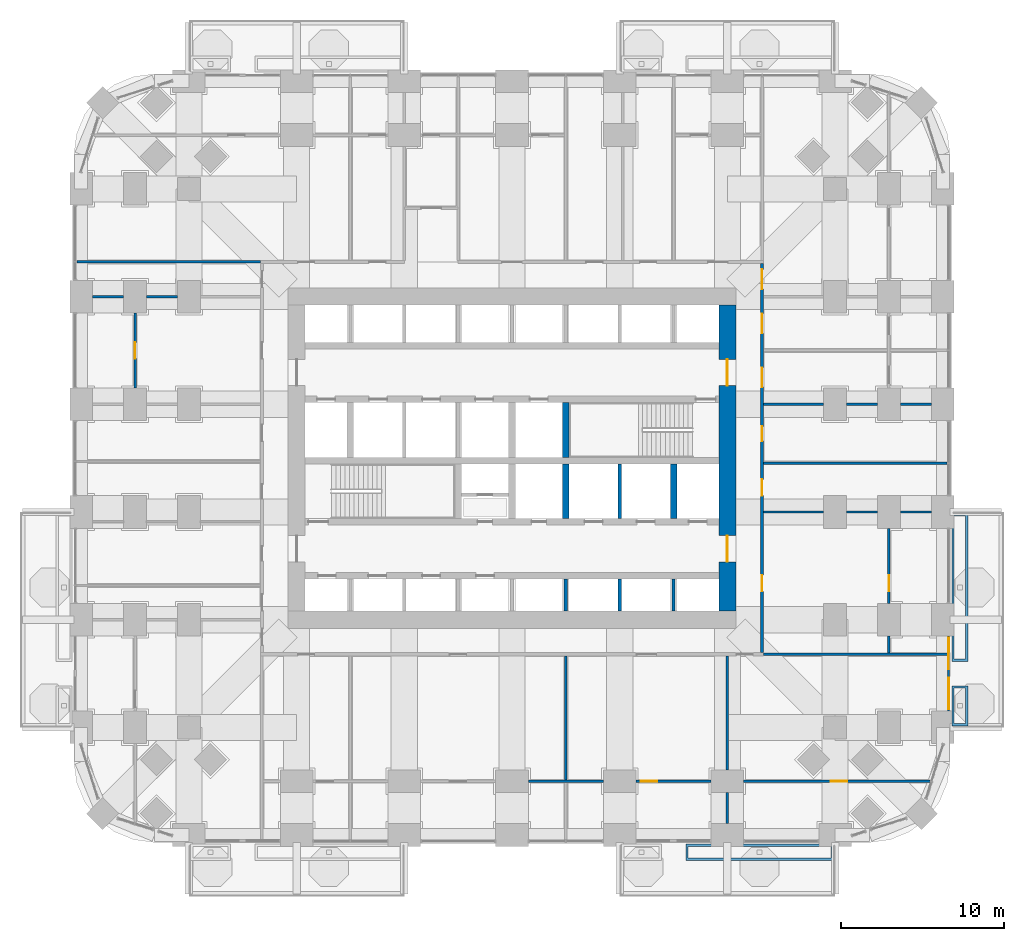
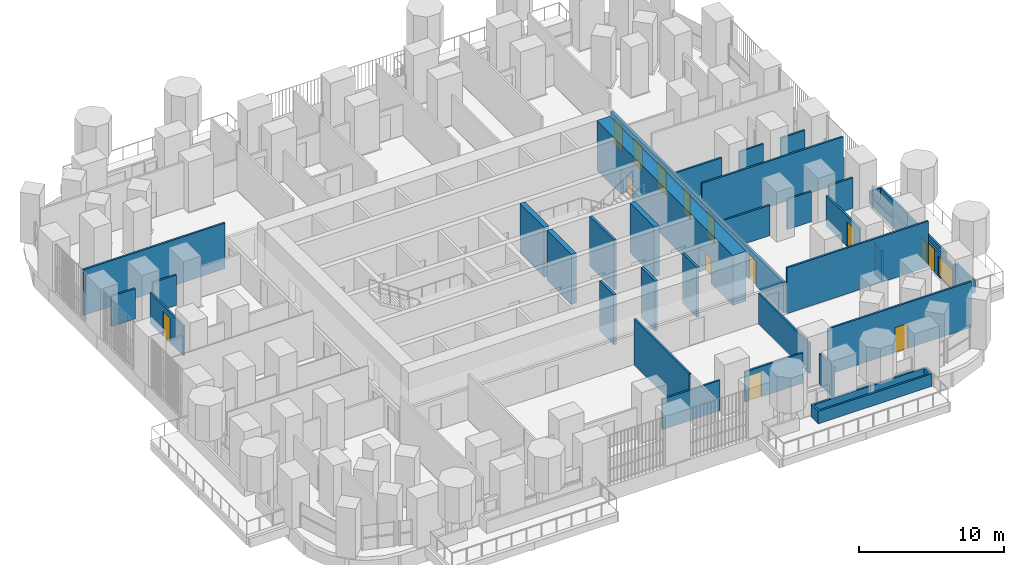
# One storey, part 19 of 27: 33 walls, 13 doors, 2 windows, 15 openings.
"""IFC4 building model written with IfcOpenShell, lengths in metres."""

from ifc_helpers import new_model, si_unit, direction, frame, frame_2d, origin, place, context, subcontext, project, spatial, polyline, rectangle, outline, extrude, material, layer, layer_set, type_object, element, fill, save


model = new_model("IFC4")

# Units and contexts
model_context = context("Model", 3, precision=1e-05, world=origin(), true_north=direction((0.0, 1.0)))
body_context = subcontext(model_context, "Body", "Model", "MODEL_VIEW")
ifc_project = project(units=[si_unit("LENGTHUNIT", "METRE"), si_unit("AREAUNIT", "SQUARE_METRE"), si_unit("VOLUMEUNIT", "CUBIC_METRE"), si_unit("PLANEANGLEUNIT", "RADIAN"), si_unit("MASSUNIT", "GRAM", prefix="KILO")], contexts=[model_context])

# Site, building, storey
site_placement = place(None, origin())
site = spatial("IfcSite", under=ifc_project, at=site_placement, CompositionType="ELEMENT")
building_placement = place(site_placement, origin())
building = spatial("IfcBuilding", under=site, at=building_placement, Name="Cobogo Forest Laboratory Tower", CompositionType="ELEMENT")
storey_placement = place(building_placement, frame((0.0, 0.0, 71.699951171875)))
storey = spatial("IfcBuildingStorey", under=building, at=storey_placement, Name="L16", CompositionType="ELEMENT", Elevation=71.699951171875)

# Walls
ifc_material_1 = material(Name="Concrete HA-50 (C50/60)", Category="concrete")
ifc_layer_1 = layer(ifc_material_1, 0.39990234375)
ifc_layer_set_1 = layer_set([ifc_layer_1], Name="CI400 core inner wall 400")
wall_type_1 = type_object("IfcWallType", Name="CI400 core inner wall 400", PredefinedType="SHEAR", material=ifc_layer_set_1)
for number, where, z_axis, x_axis, name in (
    (1, (29.699951171875, 19.39990234375, 0.0), (0.0, 0.0, 1.0), (0.0, 1.0, 0.0), "Core wall CX-29.7S L16"),
    (2, (36.300048828125, 19.39990234375, 0.0), (0.0, 0.0, 1.0), (0.0, 1.0, 0.0), "Core wall CX-36.3 L16"),
    (3, (29.699951171875, 23.14990234375, 0.0), (0.0, 0.0, 1.0), (0.0, 1.0, 0.0), "Core wall CX-29.7N L16"),
):
    element("IfcWall", number, at=place(storey_placement, frame(where, z_axis=z_axis, x_axis=x_axis)), inside=storey, type_object=wall_type_1, Name=name, PredefinedType="SHEAR", context=body_context, shape_type="SweptSolid", body=[
        extrude(rectangle(XDim=3.35009765625, YDim=0.39990234375, at=frame_2d((1.675048828125, 0.0))), origin(), (0.0, 0.0, 1.0), 4.199951171875),
    ])

# Wall, openings, doors
ifc_layer_2 = layer(ifc_material_1, 1.050048828125)
ifc_layer_set_2 = layer_set([ifc_layer_2], Name="CW1050 core outer wall 1050")
wall_type_2 = type_object("IfcWallType", Name="CW1050 core outer wall 1050", PredefinedType="SHEAR", material=ifc_layer_set_2)
wall_1_placement = place(storey_placement, frame((39.60009765625, 13.72509765625, 0.0), z_axis=(0.0, 0.0, 1.0), x_axis=(0.0, 1.0, 0.0)))
wall_1 = element("IfcWall", 4, at=wall_1_placement, inside=storey, type_object=wall_type_2, Name="Core wall CO-E L16", PredefinedType="SHEAR", context=body_context, shape_type="SweptSolid", body=[
    extrude(rectangle(XDim=18.75, YDim=1.050048828125, at=frame_2d((9.375, 0.0))), origin(), (0.0, 0.0, 1.0), 4.199951171875),
])
opening_1_placement = place(wall_1_placement, frame((3.02490234375, 0.0, 0.0)))
opening_1 = element("IfcOpeningElement", 5, at=opening_1_placement, cuts=wall_1, Name="Opening L16-D20", PredefinedType="OPENING", context=body_context, shape_type="SweptSolid", body=[
    extrude(rectangle(XDim=1.60009765625, YDim=2.10009765625, at=frame_2d((0.800048828125, 1.050048828125))), frame((0.0, 0.534912109375, 0.0), z_axis=(0.0, -1.0, 0.0), x_axis=(1.0, 0.0, 0.0)), (0.0, 0.0, 1.0), 1.070068359375),
])
opening_2_placement = place(wall_1_placement, frame((13.824951171875, 0.0, 0.0)))
opening_2 = element("IfcOpeningElement", 6, at=opening_2_placement, cuts=wall_1, Name="Opening L16-D33", PredefinedType="OPENING", context=body_context, shape_type="SweptSolid", body=[
    extrude(rectangle(XDim=1.60009765625, YDim=2.10009765625, at=frame_2d((0.800048828125, 1.050048828125))), frame((0.0, 0.534912109375, 0.0), z_axis=(0.0, -1.0, 0.0), x_axis=(1.0, 0.0, 0.0)), (0.0, 0.0, 1.0), 1.070068359375),
])
ifc_material_2 = material(Name="Steel fire door", Category="steel")
door_type_1 = type_object("IfcDoorType", Name="DS2 protected lobby door pair 1600 EI2 60", OperationType="DOUBLE_DOOR_DOUBLE_SWING", PredefinedType="DOOR", material=ifc_material_2)
door_1_placement = place(opening_1_placement, origin())
door_1 = element("IfcDoor", 7, at=door_1_placement, inside=storey, type_object=door_type_1, Name="Door L16-CO-E-S", OperationType="DOUBLE_DOOR_DOUBLE_SWING", OverallHeight=2.10009765625, OverallWidth=1.60009765625, PredefinedType="DOOR", context=body_context, shape_type="SweptSolid", body=[
    extrude(rectangle(XDim=1.60009765625, YDim=2.10009765625, at=frame_2d((0.800048828125, 1.050048828125))), frame((0.0, 0.02490234375, 0.0), z_axis=(0.0, -1.0, 0.0), x_axis=(1.0, 0.0, 0.0)), (0.0, 0.0, 1.0), 0.050048828125),
])
fill(opening_1, door_1)
door_2_placement = place(opening_2_placement, origin())
door_2 = element("IfcDoor", 8, at=door_2_placement, inside=storey, type_object=door_type_1, Name="Door L16-CO-E-N", OperationType="DOUBLE_DOOR_DOUBLE_SWING", OverallHeight=2.10009765625, OverallWidth=1.60009765625, PredefinedType="DOOR", context=body_context, shape_type="SweptSolid", body=[
    extrude(rectangle(XDim=1.60009765625, YDim=2.10009765625, at=frame_2d((0.800048828125, 1.050048828125))), frame((0.0, 0.02490234375, 0.0), z_axis=(0.0, -1.0, 0.0), x_axis=(1.0, 0.0, 0.0)), (0.0, 0.0, 1.0), 0.050048828125),
])
fill(opening_2, door_2)

# Wall, openings, door, windows
ifc_material_3 = material(Name="Aluminium framed glazed screen", Category="aluminium")
ifc_layer_3 = layer(ifc_material_3, 0.14990234375)
ifc_layer_set_3 = layer_set([ifc_layer_3], Name="GS1 glazed door screen 150")
wall_type_3 = type_object("IfcWallType", Name="GS1 glazed door screen 150", PredefinedType="SOLIDWALL", material=ifc_layer_set_3)
wall_2_placement = place(storey_placement, frame((53.14990234375, 7.60009765625, 0.0), z_axis=(0.0, 0.0, 1.0), x_axis=(0.0, 1.0, 0.0)))
wall_2 = element("IfcWall", 9, at=wall_2_placement, inside=storey, type_object=wall_type_3, Name="Door screen BAL-E1 L16", PredefinedType="SOLIDWALL", context=body_context, shape_type="SweptSolid", body=[
    extrude(rectangle(XDim=4.599853515625, YDim=0.14990234375, at=frame_2d((2.2998046875, 0.0))), origin(), (0.0, 0.0, 1.0), 2.050048828125),
])
opening_3_placement = place(wall_2_placement, frame((2.550048828125, 0.0, 0.0)))
opening_3 = element("IfcOpeningElement", 10, at=opening_3_placement, cuts=wall_2, Name="Opening L16-D09", PredefinedType="OPENING", context=body_context, shape_type="SweptSolid", body=[
    extrude(rectangle(XDim=1.0, YDim=2.0, at=frame_2d((0.5, 1.0))), frame((0.0, 0.0849609375, 0.0), z_axis=(0.0, -1.0, 0.0), x_axis=(1.0, 0.0, 0.0)), (0.0, 0.0, 1.0), 0.169921875),
])
opening_4_placement = place(wall_2_placement, frame((0.10009765625, 0.0, 0.10009765625)))
opening_4 = element("IfcOpeningElement", 11, at=opening_4_placement, cuts=wall_2, Name="Opening L16-W06", PredefinedType="OPENING", context=body_context, shape_type="SweptSolid", body=[
    extrude(rectangle(XDim=1.949951171875, YDim=1.64990234375, at=frame_2d((0.97509765625, 0.824951171875))), frame((0.0, 0.0849609375, 0.0), z_axis=(0.0, -1.0, 0.0), x_axis=(1.0, 0.0, 0.0)), (0.0, 0.0, 1.0), 0.169921875),
])
opening_5_placement = place(wall_2_placement, frame((3.64990234375, 0.0, 0.10009765625)))
opening_5 = element("IfcOpeningElement", 12, at=opening_5_placement, cuts=wall_2, Name="Opening L16-W08", PredefinedType="OPENING", context=body_context, shape_type="SweptSolid", body=[
    extrude(rectangle(XDim=0.85009765625, YDim=1.64990234375, at=frame_2d((0.425048828125, 0.824951171875))), frame((0.0, 0.0849609375, 0.0), z_axis=(0.0, -1.0, 0.0), x_axis=(1.0, 0.0, 0.0)), (0.0, 0.0, 1.0), 0.169921875),
])
ifc_material_4 = material(Name="Aluminium glazed door", Category="aluminium")
door_type_2 = type_object("IfcDoorType", Name="DB2 balcony door 1000 glazed 2000 high", OperationType="SINGLE_SWING_LEFT", PredefinedType="DOOR", material=ifc_material_4)
door_3_placement = place(opening_3_placement, origin())
door_3 = element("IfcDoor", 13, at=door_3_placement, inside=storey, type_object=door_type_2, Name="Door L16-BAL-E1", OperationType="SINGLE_SWING_RIGHT", OverallHeight=2.0, OverallWidth=1.0, PredefinedType="DOOR", context=body_context, shape_type="SweptSolid", body=[
    extrude(rectangle(XDim=1.0, YDim=2.0, at=frame_2d((0.5, 1.0))), frame((0.0, 0.02490234375, 0.0), z_axis=(0.0, -1.0, 0.0), x_axis=(1.0, 0.0, 0.0)), (0.0, 0.0, 1.0), 0.050048828125),
])
fill(opening_3, door_3)
ifc_material_5 = material(Name="Aluminium framed glazing", Category="aluminium")
window_type_1 = type_object("IfcWindowType", Name="WG10 fixed glazed light 850x1650", PartitioningType="SINGLE_PANEL", PredefinedType="WINDOW", material=ifc_material_5)
window_1_placement = place(opening_5_placement, origin())
window_1 = element("IfcWindow", 14, at=window_1_placement, inside=storey, type_object=window_type_1, Name="Window L16-BAL-E1-2", OverallHeight=1.64990234375, OverallWidth=0.85009765625, PartitioningType="SINGLE_PANEL", PredefinedType="WINDOW", context=body_context, shape_type="SweptSolid", body=[
    extrude(rectangle(XDim=0.85009765625, YDim=1.64990234375, at=frame_2d((0.425048828125, 0.824951171875))), frame((0.0, 0.030029296875, 0.0), z_axis=(0.0, -1.0, 0.0), x_axis=(1.0, 0.0, 0.0)), (0.0, 0.0, 1.0), 0.06005859375),
])
fill(opening_5, window_1)
window_type_2 = type_object("IfcWindowType", Name="WG9 fixed glazed light 1950x1650", PartitioningType="SINGLE_PANEL", PredefinedType="WINDOW", material=ifc_material_5)
window_2_placement = place(opening_4_placement, origin())
window_2 = element("IfcWindow", 15, at=window_2_placement, inside=storey, type_object=window_type_2, Name="Window L16-BAL-E1-1", OverallHeight=1.64990234375, OverallWidth=1.949951171875, PartitioningType="SINGLE_PANEL", PredefinedType="WINDOW", context=body_context, shape_type="SweptSolid", body=[
    extrude(rectangle(XDim=1.949951171875, YDim=1.64990234375, at=frame_2d((0.97509765625, 0.824951171875))), frame((0.0, 0.030029296875, 0.0), z_axis=(0.0, -1.0, 0.0), x_axis=(1.0, 0.0, 0.0)), (0.0, 0.0, 1.0), 0.06005859375),
])
fill(opening_4, window_2)

# Walls
ifc_material_6 = material(Name="Gypsum board on steel studs", Category="steel")
ifc_layer_4 = layer(ifc_material_6, 0.14990234375)
ifc_layer_set_4 = layer_set([ifc_layer_4], Name="PT1 laboratory partition 150")
wall_type_4 = type_object("IfcWallType", Name="PT1 laboratory partition 150", PredefinedType="PARTITIONING", material=ifc_layer_set_4)
for number, where, z_axis, x_axis, name in (
    (16, (53.070068359375, 11.074951171875, 0.0), (0.0, 0.0, 1.0), (-1.0, 0.0, 0.0), "Partition PW-SE L16"),
    (17, (-0.27001953125, 35.125, 0.0), (0.0, 0.0, 1.0), (1.0, 0.0, 0.0), "Partition PW-NW L16"),
):
    element("IfcWall", number, at=place(storey_placement, frame(where, z_axis=z_axis, x_axis=x_axis)), inside=storey, type_object=wall_type_4, Name=name, PredefinedType="PARTITIONING", context=body_context, shape_type="SweptSolid", body=[
        extrude(rectangle(XDim=11.2451171875, YDim=0.14990234375, at=frame_2d((5.62255859375, 0.0))), origin(), (0.0, 0.0, 1.0), 3.85009765625),
    ])
wall_3_placement = place(storey_placement, frame((27.39990234375, 3.300048828125, 0.0), z_axis=(0.0, 0.0, 1.0), x_axis=(1.0, 0.0, 0.0)))
element("IfcWall", 18, at=wall_3_placement, inside=storey, type_object=wall_type_4, Name="Partition STRIP-S-4 L16", PredefinedType="PARTITIONING", context=body_context, shape_type="SweptSolid", body=[
    extrude(rectangle(XDim=4.60009765625, YDim=0.14990234375, at=frame_2d((2.300048828125, 0.0))), origin(), (0.0, 0.0, 1.0), 2.550048828125),
])

# Wall, opening, door
wall_4_placement = place(storey_placement, frame((34.0, 3.300048828125, 0.0), z_axis=(0.0, 0.0, 1.0), x_axis=(1.0, 0.0, 0.0)))
wall_4 = element("IfcWall", 19, at=wall_4_placement, inside=storey, type_object=wall_type_4, Name="Partition STRIP-S-5 L16", PredefinedType="PARTITIONING", context=body_context, shape_type="SweptSolid", body=[
    extrude(rectangle(XDim=4.60009765625, YDim=0.14990234375, at=frame_2d((2.300048828125, 0.0))), origin(), (0.0, 0.0, 1.0), 2.550048828125),
])
opening_6_placement = place(wall_4_placement, frame((0.300048828125, 0.0, 0.0)))
opening_6 = element("IfcOpeningElement", 20, at=opening_6_placement, cuts=wall_4, Name="Opening L16-D05", PredefinedType="OPENING", context=body_context, shape_type="SweptSolid", body=[
    extrude(rectangle(XDim=1.0, YDim=2.10009765625, at=frame_2d((0.5, 1.050048828125))), frame((0.0, 0.0849609375, 0.0), z_axis=(0.0, -1.0, 0.0), x_axis=(1.0, 0.0, 0.0)), (0.0, 0.0, 1.0), 0.169921875),
])
ifc_material_7 = material(Name="Timber fire door", Category="wood")
door_type_3 = type_object("IfcDoorType", Name="FD2 fire door 1000 EI2 30", OperationType="SINGLE_SWING_LEFT", PredefinedType="DOOR", material=ifc_material_7)
door_4_placement = place(opening_6_placement, origin())
door_4 = element("IfcDoor", 21, at=door_4_placement, inside=storey, type_object=door_type_3, Name="Door L16-S3W", OperationType="SINGLE_SWING_LEFT", OverallHeight=2.10009765625, OverallWidth=1.0, PredefinedType="DOOR", context=body_context, shape_type="SweptSolid", body=[
    extrude(rectangle(XDim=1.0, YDim=2.10009765625, at=frame_2d((0.5, 1.050048828125))), frame((0.0, 0.02490234375, 0.0), z_axis=(0.0, -1.0, 0.0), x_axis=(1.0, 0.0, 0.0)), (0.0, 0.0, 1.0), 0.050048828125),
])
fill(opening_6, door_4)

wall_5_placement = place(storey_placement, frame((40.60009765625, 3.300048828125, 0.0), z_axis=(0.0, 0.0, 1.0), x_axis=(1.0, 0.0, 0.0)))
wall_5 = element("IfcWall", 22, at=wall_5_placement, inside=storey, type_object=wall_type_4, Name="Partition STRIP-S-6 L16", PredefinedType="PARTITIONING", context=body_context, shape_type="SweptSolid", body=[
    extrude(rectangle(XDim=11.423828125, YDim=0.14990234375, at=frame_2d((5.7119140625, 0.0))), origin(), (0.0, 0.0, 1.0), 3.85009765625),
])
opening_7_placement = place(wall_5_placement, frame((5.342041015625, 0.0, 0.0)))
opening_7 = element("IfcOpeningElement", 23, at=opening_7_placement, cuts=wall_5, Name="Opening L16-D06", PredefinedType="OPENING", context=body_context, shape_type="SweptSolid", body=[
    extrude(rectangle(XDim=1.0, YDim=2.10009765625, at=frame_2d((0.5, 1.050048828125))), frame((0.0, 0.0849609375, 0.0), z_axis=(0.0, -1.0, 0.0), x_axis=(1.0, 0.0, 0.0)), (0.0, 0.0, 1.0), 0.169921875),
])
door_5_placement = place(opening_7_placement, origin())
door_5 = element("IfcDoor", 24, at=door_5_placement, inside=storey, type_object=door_type_3, Name="Door L16-S4W", OperationType="SINGLE_SWING_RIGHT", OverallHeight=2.10009765625, OverallWidth=1.0, PredefinedType="DOOR", context=body_context, shape_type="SweptSolid", body=[
    extrude(rectangle(XDim=1.0, YDim=2.10009765625, at=frame_2d((0.5, 1.050048828125))), frame((0.0, 0.02490234375, 0.0), z_axis=(0.0, -1.0, 0.0), x_axis=(1.0, 0.0, 0.0)), (0.0, 0.0, 1.0), 0.050048828125),
])
fill(opening_7, door_5)

# Walls
wall_6_placement = place(storey_placement, frame((29.699951171875, 3.375, 0.0), z_axis=(0.0, 0.0, 1.0), x_axis=(0.0, 1.0, 0.0)))
element("IfcWall", 25, at=wall_6_placement, inside=storey, type_object=wall_type_4, Name="Partition CUT-S29.7b-1 L16", PredefinedType="PARTITIONING", context=body_context, shape_type="SweptSolid", body=[
    extrude(rectangle(XDim=7.60009765625, YDim=0.14990234375, at=frame_2d((3.800048828125, 0.0))), origin(), (0.0, 0.0, 1.0), 3.85009765625),
])
wall_7_placement = place(storey_placement, frame((39.60009765625, 0.699951171875, 0.0), z_axis=(0.0, 0.0, 1.0), x_axis=(0.0, 1.0, 0.0)))
element("IfcWall", 26, at=wall_7_placement, inside=storey, type_object=wall_type_4, Name="Partition CUT-S39.6a-1 L16", PredefinedType="PARTITIONING", context=body_context, shape_type="SweptSolid", body=[
    extrude(rectangle(XDim=1.900146484375, YDim=0.14990234375, at=frame_2d((0.9501953125, 0.0))), origin(), (0.0, 0.0, 1.0), 2.550048828125),
])
wall_8_placement = place(storey_placement, frame((39.60009765625, 4.0, 0.0), z_axis=(0.0, 0.0, 1.0), x_axis=(0.0, 1.0, 0.0)))
element("IfcWall", 27, at=wall_8_placement, inside=storey, type_object=wall_type_4, Name="Partition CUT-S39.6b-1 L16", PredefinedType="PARTITIONING", context=body_context, shape_type="SweptSolid", body=[
    extrude(rectangle(XDim=6.97509765625, YDim=0.14990234375, at=frame_2d((3.487548828125, 0.0))), origin(), (0.0, 0.0, 1.0), 2.550048828125),
])
wall_9_placement = place(storey_placement, frame((49.5, 11.14990234375, 0.0), z_axis=(0.0, 0.0, 1.0), x_axis=(0.0, 1.0, 0.0)))
element("IfcWall", 28, at=wall_9_placement, inside=storey, type_object=wall_type_4, Name="Partition STRIP-E-1 L16", PredefinedType="PARTITIONING", context=body_context, shape_type="SweptSolid", body=[
    extrude(rectangle(XDim=1.050048828125, YDim=0.14990234375, at=frame_2d((0.52490234375, 0.0))), origin(), (0.0, 0.0, 1.0), 2.550048828125),
])

# Wall, opening, door
wall_10_placement = place(storey_placement, frame((49.5, 14.199951171875, 0.0), z_axis=(0.0, 0.0, 1.0), x_axis=(0.0, 1.0, 0.0)))
wall_10 = element("IfcWall", 29, at=wall_10_placement, inside=storey, type_object=wall_type_4, Name="Partition STRIP-E-2 L16", PredefinedType="PARTITIONING", context=body_context, shape_type="SweptSolid", body=[
    extrude(rectangle(XDim=4.60009765625, YDim=0.14990234375, at=frame_2d((2.300048828125, 0.0))), origin(), (0.0, 0.0, 1.0), 2.550048828125),
])
opening_8_placement = place(wall_10_placement, frame((0.737548828125, 0.0, 0.0)))
opening_8 = element("IfcOpeningElement", 30, at=opening_8_placement, cuts=wall_10, Name="Opening L16-D17", PredefinedType="OPENING", context=body_context, shape_type="SweptSolid", body=[
    extrude(rectangle(XDim=1.0, YDim=2.10009765625, at=frame_2d((0.5, 1.050048828125))), frame((0.0, 0.0849609375, 0.0), z_axis=(0.0, -1.0, 0.0), x_axis=(1.0, 0.0, 0.0)), (0.0, 0.0, 1.0), 0.169921875),
])
door_6_placement = place(opening_8_placement, origin())
door_6 = element("IfcDoor", 31, at=door_6_placement, inside=storey, type_object=door_type_3, Name="Door L16-E1W", OperationType="SINGLE_SWING_LEFT", OverallHeight=2.10009765625, OverallWidth=1.0, PredefinedType="DOOR", context=body_context, shape_type="SweptSolid", body=[
    extrude(rectangle(XDim=1.0, YDim=2.10009765625, at=frame_2d((0.5, 1.050048828125))), frame((0.0, 0.02490234375, 0.0), z_axis=(0.0, -1.0, 0.0), x_axis=(1.0, 0.0, 0.0)), (0.0, 0.0, 1.0), 0.050048828125),
])
fill(opening_8, door_6)

# Walls
wall_11_placement = place(storey_placement, frame((53.070068359375, 22.800048828125, 0.0), z_axis=(0.0, 0.0, 1.0), x_axis=(-1.0, 0.0, 0.0)))
element("IfcWall", 32, at=wall_11_placement, inside=storey, type_object=wall_type_4, Name="Partition SVC-E1-1 L16", PredefinedType="PARTITIONING", context=body_context, shape_type="SweptSolid", body=[
    extrude(rectangle(XDim=11.2451171875, YDim=0.14990234375, at=frame_2d((5.62255859375, 0.0))), origin(), (0.0, 0.0, 1.0), 3.85009765625),
])
for number, where, z_axis, x_axis, name in (
    (33, (52.10009765625, 26.39990234375, 0.0), (0.0, 0.0, 1.0), (-1.0, 0.0, 0.0), "Partition SVC-E2-1 L16"),
    (34, (48.800048828125, 26.39990234375, 0.0), (0.0, 0.0, 1.0), (-1.0, 0.0, 0.0), "Partition SVC-E2-2 L16"),
):
    element("IfcWall", number, at=place(storey_placement, frame(where, z_axis=z_axis, x_axis=x_axis)), inside=storey, type_object=wall_type_4, Name=name, PredefinedType="PARTITIONING", context=body_context, shape_type="SweptSolid", body=[
        extrude(rectangle(XDim=1.900146484375, YDim=0.14990234375, at=frame_2d((0.9501953125, 0.0))), origin(), (0.0, 0.0, 1.0), 2.550048828125),
    ])
wall_12_placement = place(storey_placement, frame((45.5, 26.39990234375, 0.0), z_axis=(0.0, 0.0, 1.0), x_axis=(-1.0, 0.0, 0.0)))
element("IfcWall", 35, at=wall_12_placement, inside=storey, type_object=wall_type_4, Name="Partition SVC-E2-3 L16", PredefinedType="PARTITIONING", context=body_context, shape_type="SweptSolid", body=[
    extrude(rectangle(XDim=3.675048828125, YDim=0.14990234375, at=frame_2d((1.83740234375, 0.0))), origin(), (0.0, 0.0, 1.0), 2.550048828125),
])
for number, where, z_axis, x_axis, name in (
    (36, (52.10009765625, 19.800048828125, 0.0), (0.0, 0.0, 1.0), (-1.0, 0.0, 0.0), "Partition CUT-E19.8-1 L16"),
    (37, (48.800048828125, 19.800048828125, 0.0), (0.0, 0.0, 1.0), (-1.0, 0.0, 0.0), "Partition CUT-E19.8-2 L16"),
):
    element("IfcWall", number, at=place(storey_placement, frame(where, z_axis=z_axis, x_axis=x_axis)), inside=storey, type_object=wall_type_4, Name=name, PredefinedType="PARTITIONING", context=body_context, shape_type="SweptSolid", body=[
        extrude(rectangle(XDim=1.900146484375, YDim=0.14990234375, at=frame_2d((0.9501953125, 0.0))), origin(), (0.0, 0.0, 1.0), 2.550048828125),
    ])
wall_13_placement = place(storey_placement, frame((45.5, 19.800048828125, 0.0), z_axis=(0.0, 0.0, 1.0), x_axis=(-1.0, 0.0, 0.0)))
element("IfcWall", 38, at=wall_13_placement, inside=storey, type_object=wall_type_4, Name="Partition CUT-E19.8-3 L16", PredefinedType="PARTITIONING", context=body_context, shape_type="SweptSolid", body=[
    extrude(rectangle(XDim=3.675048828125, YDim=0.14990234375, at=frame_2d((1.83740234375, 0.0))), origin(), (0.0, 0.0, 1.0), 2.550048828125),
])

# Wall, opening, door
wall_14_placement = place(storey_placement, frame((3.300048828125, 32.0, 0.0), z_axis=(0.0, 0.0, 1.0), x_axis=(0.0, -1.0, 0.0)))
wall_14 = element("IfcWall", 39, at=wall_14_placement, inside=storey, type_object=wall_type_4, Name="Partition STRIP-W-1 L16", PredefinedType="PARTITIONING", context=body_context, shape_type="SweptSolid", body=[
    extrude(rectangle(XDim=4.60009765625, YDim=0.14990234375, at=frame_2d((2.300048828125, 0.0))), origin(), (0.0, 0.0, 1.0), 2.550048828125),
])
opening_9_placement = place(wall_14_placement, frame((1.800048828125, 0.0, 0.0)))
opening_9 = element("IfcOpeningElement", 40, at=opening_9_placement, cuts=wall_14, Name="Opening L16-D34", PredefinedType="OPENING", context=body_context, shape_type="SweptSolid", body=[
    extrude(rectangle(XDim=1.0, YDim=2.10009765625, at=frame_2d((0.5, 1.050048828125))), frame((0.0, 0.0849609375, 0.0), z_axis=(0.0, -1.0, 0.0), x_axis=(1.0, 0.0, 0.0)), (0.0, 0.0, 1.0), 0.169921875),
])
door_7_placement = place(opening_9_placement, origin())
door_7 = element("IfcDoor", 41, at=door_7_placement, inside=storey, type_object=door_type_3, Name="Door L16-W3W", OperationType="SINGLE_SWING_RIGHT", OverallHeight=2.10009765625, OverallWidth=1.0, PredefinedType="DOOR", context=body_context, shape_type="SweptSolid", body=[
    extrude(rectangle(XDim=1.0, YDim=2.10009765625, at=frame_2d((0.5, 1.050048828125))), frame((0.0, 0.02490234375, 0.0), z_axis=(0.0, -1.0, 0.0), x_axis=(1.0, 0.0, 0.0)), (0.0, 0.0, 1.0), 0.050048828125),
])
fill(opening_9, door_7)

# Walls
wall_15_placement = place(storey_placement, frame((0.699951171875, 33.0, 0.0), z_axis=(0.0, 0.0, 1.0), x_axis=(1.0, 0.0, 0.0)))
element("IfcWall", 42, at=wall_15_placement, inside=storey, type_object=wall_type_4, Name="Partition CUT-W33-1 L16", PredefinedType="PARTITIONING", context=body_context, shape_type="SweptSolid", body=[
    extrude(rectangle(XDim=1.900146484375, YDim=0.14990234375, at=frame_2d((0.9501953125, 0.0))), origin(), (0.0, 0.0, 1.0), 2.550048828125),
])
wall_16_placement = place(storey_placement, frame((4.0, 33.0, 0.0), z_axis=(0.0, 0.0, 1.0), x_axis=(1.0, 0.0, 0.0)))
element("IfcWall", 43, at=wall_16_placement, inside=storey, type_object=wall_type_4, Name="Partition CUT-W33-2 L16", PredefinedType="PARTITIONING", context=body_context, shape_type="SweptSolid", body=[
    extrude(rectangle(XDim=1.89990234375, YDim=0.14990234375, at=frame_2d((0.949951171875, 0.0))), origin(), (0.0, 0.0, 1.0), 2.550048828125),
])

# Wall, openings, doors
ifc_layer_5 = layer(ifc_material_6, 0.199951171875)
ifc_layer_set_5 = layer_set([ifc_layer_5], Name="PT2 fire-rated corridor partition 200")
wall_type_5 = type_object("IfcWallType", Name="PT2 fire-rated corridor partition 200", PredefinedType="PARTITIONING", material=ifc_layer_set_5)
wall_17_placement = place(storey_placement, frame((41.72509765625, 11.175048828125, 0.0), z_axis=(0.0, 0.0, 1.0), x_axis=(0.0, 1.0, 0.0)))
wall_17 = element("IfcWall", 44, at=wall_17_placement, inside=storey, type_object=wall_type_5, Name="Partition CORR-E L16", PredefinedType="PARTITIONING", context=body_context, shape_type="SweptSolid", body=[
    extrude(rectangle(XDim=23.849853515625, YDim=0.199951171875, at=frame_2d((11.9248046875, 0.0))), origin(), (0.0, 0.0, 1.0), 2.550048828125),
])
opening_10_placement = place(wall_17_placement, frame((3.762451171875, 0.0, 0.0)))
opening_10 = element("IfcOpeningElement", 45, at=opening_10_placement, cuts=wall_17, Name="Opening L16-D16", PredefinedType="OPENING", context=body_context, shape_type="SweptSolid", body=[
    extrude(rectangle(XDim=1.0, YDim=2.10009765625, at=frame_2d((0.5, 1.050048828125))), frame((0.0, 0.10986328125, 0.0), z_axis=(0.0, -1.0, 0.0), x_axis=(1.0, 0.0, 0.0)), (0.0, 0.0, 1.0), 0.219970703125),
])
opening_11_placement = place(wall_17_placement, frame((9.625, 0.0, 0.0)))
opening_11 = element("IfcOpeningElement", 46, at=opening_11_placement, cuts=wall_17, Name="Opening L16-D26", PredefinedType="OPENING", context=body_context, shape_type="SweptSolid", body=[
    extrude(rectangle(XDim=1.0, YDim=2.10009765625, at=frame_2d((0.5, 1.050048828125))), frame((0.0, 0.10986328125, 0.0), z_axis=(0.0, -1.0, 0.0), x_axis=(1.0, 0.0, 0.0)), (0.0, 0.0, 1.0), 0.219970703125),
])
opening_12_placement = place(wall_17_placement, frame((12.97509765625, 0.0, 0.0)))
opening_12 = element("IfcOpeningElement", 47, at=opening_12_placement, cuts=wall_17, Name="Opening L16-D27", PredefinedType="OPENING", context=body_context, shape_type="SweptSolid", body=[
    extrude(rectangle(XDim=0.89990234375, YDim=2.10009765625, at=frame_2d((0.449951171875, 1.050048828125))), frame((0.0, 0.10986328125, 0.0), z_axis=(0.0, -1.0, 0.0), x_axis=(1.0, 0.0, 0.0)), (0.0, 0.0, 1.0), 0.219970703125),
])
opening_13_placement = place(wall_17_placement, frame((16.27490234375, 0.0, 0.0)))
opening_13 = element("IfcOpeningElement", 48, at=opening_13_placement, cuts=wall_17, Name="Opening L16-D30", PredefinedType="OPENING", context=body_context, shape_type="SweptSolid", body=[
    extrude(rectangle(XDim=1.199951171875, YDim=2.10009765625, at=frame_2d((0.60009765625, 1.050048828125))), frame((0.0, 0.10986328125, 0.0), z_axis=(0.0, -1.0, 0.0), x_axis=(1.0, 0.0, 0.0)), (0.0, 0.0, 1.0), 0.219970703125),
])
opening_14_placement = place(wall_17_placement, frame((19.574951171875, 0.0, 0.0)))
opening_14 = element("IfcOpeningElement", 49, at=opening_14_placement, cuts=wall_17, Name="Opening L16-D37", PredefinedType="OPENING", context=body_context, shape_type="SweptSolid", body=[
    extrude(rectangle(XDim=1.199951171875, YDim=2.10009765625, at=frame_2d((0.60009765625, 1.050048828125))), frame((0.0, 0.10986328125, 0.0), z_axis=(0.0, -1.0, 0.0), x_axis=(1.0, 0.0, 0.0)), (0.0, 0.0, 1.0), 0.219970703125),
])
opening_15_placement = place(wall_17_placement, frame((22.28759765625, 0.0, 0.0)))
opening_15 = element("IfcOpeningElement", 50, at=opening_15_placement, cuts=wall_17, Name="Opening L16-D39", PredefinedType="OPENING", context=body_context, shape_type="SweptSolid", body=[
    extrude(rectangle(XDim=1.199951171875, YDim=2.10009765625, at=frame_2d((0.60009765625, 1.050048828125))), frame((0.0, 0.10986328125, 0.0), z_axis=(0.0, -1.0, 0.0), x_axis=(1.0, 0.0, 0.0)), (0.0, 0.0, 1.0), 0.219970703125),
])
ifc_material_8 = material(Name="Timber door", Category="wood")
door_type_4 = type_object("IfcDoorType", Name="D2 laboratory door 1200 unequal pair", OperationType="DOUBLE_DOOR_SINGLE_SWING", PredefinedType="DOOR", material=ifc_material_8)
door_8_placement = place(opening_13_placement, origin())
door_8 = element("IfcDoor", 51, at=door_8_placement, inside=storey, type_object=door_type_4, Name="Door L16-E2", OperationType="DOUBLE_DOOR_SINGLE_SWING", OverallHeight=2.10009765625, OverallWidth=1.199951171875, PredefinedType="DOOR", context=body_context, shape_type="SweptSolid", body=[
    extrude(rectangle(XDim=1.199951171875, YDim=2.10009765625, at=frame_2d((0.60009765625, 1.050048828125))), frame((0.0, 0.02490234375, 0.0), z_axis=(0.0, -1.0, 0.0), x_axis=(1.0, 0.0, 0.0)), (0.0, 0.0, 1.0), 0.050048828125),
])
fill(opening_13, door_8)
door_9_placement = place(opening_14_placement, origin())
door_9 = element("IfcDoor", 52, at=door_9_placement, inside=storey, type_object=door_type_4, Name="Door L16-E3", OperationType="DOUBLE_DOOR_SINGLE_SWING", OverallHeight=2.10009765625, OverallWidth=1.199951171875, PredefinedType="DOOR", context=body_context, shape_type="SweptSolid", body=[
    extrude(rectangle(XDim=1.199951171875, YDim=2.10009765625, at=frame_2d((0.60009765625, 1.050048828125))), frame((0.0, 0.02490234375, 0.0), z_axis=(0.0, -1.0, 0.0), x_axis=(1.0, 0.0, 0.0)), (0.0, 0.0, 1.0), 0.050048828125),
])
fill(opening_14, door_9)
door_10_placement = place(opening_15_placement, origin())
door_10 = element("IfcDoor", 53, at=door_10_placement, inside=storey, type_object=door_type_4, Name="Door L16-E4", OperationType="DOUBLE_DOOR_SINGLE_SWING", OverallHeight=2.10009765625, OverallWidth=1.199951171875, PredefinedType="DOOR", context=body_context, shape_type="SweptSolid", body=[
    extrude(rectangle(XDim=1.199951171875, YDim=2.10009765625, at=frame_2d((0.60009765625, 1.050048828125))), frame((0.0, 0.02490234375, 0.0), z_axis=(0.0, -1.0, 0.0), x_axis=(1.0, 0.0, 0.0)), (0.0, 0.0, 1.0), 0.050048828125),
])
fill(opening_15, door_10)
door_type_5 = type_object("IfcDoorType", Name="FD1 fire door 1000 EI2 60", OperationType="SINGLE_SWING_LEFT", PredefinedType="DOOR", material=ifc_material_2)
door_11_placement = place(opening_10_placement, origin())
door_11 = element("IfcDoor", 54, at=door_11_placement, inside=storey, type_object=door_type_5, Name="Door L16-E1", OperationType="SINGLE_SWING_LEFT", OverallHeight=2.10009765625, OverallWidth=1.0, PredefinedType="DOOR", context=body_context, shape_type="SweptSolid", body=[
    extrude(rectangle(XDim=1.0, YDim=2.10009765625, at=frame_2d((0.5, 1.050048828125))), frame((0.0, 0.02490234375, 0.0), z_axis=(0.0, -1.0, 0.0), x_axis=(1.0, 0.0, 0.0)), (0.0, 0.0, 1.0), 0.050048828125),
])
fill(opening_10, door_11)
door_12_placement = place(opening_11_placement, origin())
door_12 = element("IfcDoor", 55, at=door_12_placement, inside=storey, type_object=door_type_5, Name="Door L16-ELEC", OperationType="SINGLE_SWING_LEFT", OverallHeight=2.10009765625, OverallWidth=1.0, PredefinedType="DOOR", context=body_context, shape_type="SweptSolid", body=[
    extrude(rectangle(XDim=1.0, YDim=2.10009765625, at=frame_2d((0.5, 1.050048828125))), frame((0.0, 0.02490234375, 0.0), z_axis=(0.0, -1.0, 0.0), x_axis=(1.0, 0.0, 0.0)), (0.0, 0.0, 1.0), 0.050048828125),
])
fill(opening_11, door_12)
door_type_6 = type_object("IfcDoorType", Name="FD4 riser access door 900 EI2 60", OperationType="SINGLE_SWING_LEFT", PredefinedType="DOOR", material=ifc_material_2)
door_13_placement = place(opening_12_placement, origin())
door_13 = element("IfcDoor", 56, at=door_13_placement, inside=storey, type_object=door_type_6, Name="Door L16-COMMS", OperationType="SINGLE_SWING_RIGHT", OverallHeight=2.10009765625, OverallWidth=0.89990234375, PredefinedType="DOOR", context=body_context, shape_type="SweptSolid", body=[
    extrude(rectangle(XDim=0.89990234375, YDim=2.10009765625, at=frame_2d((0.449951171875, 1.050048828125))), frame((0.0, 0.02490234375, 0.0), z_axis=(0.0, -1.0, 0.0), x_axis=(1.0, 0.0, 0.0)), (0.0, 0.0, 1.0), 0.050048828125),
])
fill(opening_12, door_13)

# Walls
ifc_material_9 = material(Name="Concrete HA-40 (C40/50)", Category="concrete")
ifc_layer_6 = layer(ifc_material_9, 0.14990234375)
ifc_layer_set_6 = layer_set([ifc_layer_6], Name="Planter box 1000x1050")
wall_type_6 = type_object("IfcWallType", Name="Planter box 1000x1050", PredefinedType="USERDEFINED", material=ifc_layer_set_6)
wall_18_placement = place(storey_placement, origin())
element("IfcWall", 57, at=wall_18_placement, inside=storey, type_object=wall_type_6, Name="Planter BAL-S2-2 L16", ObjectType="PLANTER", PredefinedType="USERDEFINED", context=body_context, shape_type="SweptSolid", body=[
    extrude(outline(polyline([(37.050048828125, -1.550048828125), (46.10009765625, -1.550048828125), (46.10009765625, -0.550048828125), (37.050048828125, -0.550048828125), (37.050048828125, -1.550048828125)]), holes=[polyline([(37.199951171875, -1.39990234375), (45.949951171875, -1.39990234375), (45.949951171875, -0.699951171875), (37.199951171875, -0.699951171875), (37.199951171875, -1.39990234375)])]), origin(), (0.0, 0.0, 1.0), 1.050048828125),
])
wall_19_placement = place(storey_placement, origin())
element("IfcWall", 58, at=wall_19_placement, inside=storey, type_object=wall_type_6, Name="Planter BAL-E1-1 L16", ObjectType="PLANTER", PredefinedType="USERDEFINED", context=body_context, shape_type="SweptSolid", body=[
    extrude(outline(polyline([(53.35009765625, 6.699951171875), (54.35009765625, 6.699951171875), (54.35009765625, 9.14990234375), (53.35009765625, 9.14990234375), (53.35009765625, 6.699951171875)]), holes=[polyline([(53.5, 6.85009765625), (54.199951171875, 6.85009765625), (54.199951171875, 9.0), (53.5, 9.0), (53.5, 6.85009765625)])]), origin(), (0.0, 0.0, 1.0), 1.050048828125),
])
wall_20_placement = place(storey_placement, origin())
element("IfcWall", 59, at=wall_20_placement, inside=storey, type_object=wall_type_6, Name="Planter BAL-E1-2 L16", ObjectType="PLANTER", PredefinedType="USERDEFINED", context=body_context, shape_type="SweptSolid", body=[
    extrude(outline(polyline([(53.35009765625, 10.64990234375), (54.35009765625, 10.64990234375), (54.35009765625, 19.699951171875), (53.35009765625, 19.699951171875), (53.35009765625, 10.64990234375)]), holes=[polyline([(53.5, 10.800048828125), (54.199951171875, 10.800048828125), (54.199951171875, 19.550048828125), (53.5, 19.550048828125), (53.5, 10.800048828125)])]), origin(), (0.0, 0.0, 1.0), 1.050048828125),
])
ifc_material_10 = material(Name="Concrete block", Category="concrete")
ifc_layer_7 = layer(ifc_material_10, 0.199951171875)
ifc_layer_set_7 = layer_set([ifc_layer_7], Name="SW200 lift shaft separator 200")
wall_type_7 = type_object("IfcWallType", Name="SW200 lift shaft separator 200", PredefinedType="PARTITIONING", material=ifc_layer_set_7)
for number, where, z_axis, x_axis, name in (
    (60, (29.699951171875, 13.72509765625, 0.0), (0.0, 0.0, 1.0), (0.0, 1.0, 0.0), "Core wall SEP-S5 L16"),
    (61, (33.0, 13.72509765625, 0.0), (0.0, 0.0, 1.0), (0.0, 1.0, 0.0), "Core wall SEP-S6 L16"),
    (62, (36.300048828125, 13.72509765625, 0.0), (0.0, 0.0, 1.0), (0.0, 1.0, 0.0), "Core wall SEP-S7 L16"),
):
    element("IfcWall", number, at=place(storey_placement, frame(where, z_axis=z_axis, x_axis=x_axis)), inside=storey, type_object=wall_type_7, Name=name, PredefinedType="PARTITIONING", context=body_context, shape_type="SweptSolid", body=[
        extrude(rectangle(XDim=1.974853515625, YDim=0.199951171875, at=frame_2d((0.9873046875, 0.0))), origin(), (0.0, 0.0, 1.0), 4.199951171875),
    ])
wall_21_placement = place(storey_placement, frame((33.0, 19.39990234375, 0.0), z_axis=(0.0, 0.0, 1.0), x_axis=(0.0, 1.0, 0.0)))
element("IfcWall", 63, at=wall_21_placement, inside=storey, type_object=wall_type_7, Name="Core wall SEP-M33.0 L16", PredefinedType="PARTITIONING", context=body_context, shape_type="SweptSolid", body=[
    extrude(rectangle(XDim=3.35009765625, YDim=0.199951171875, at=frame_2d((1.675048828125, 0.0))), origin(), (0.0, 0.0, 1.0), 4.199951171875),
])

save(model, "model.ifc")
